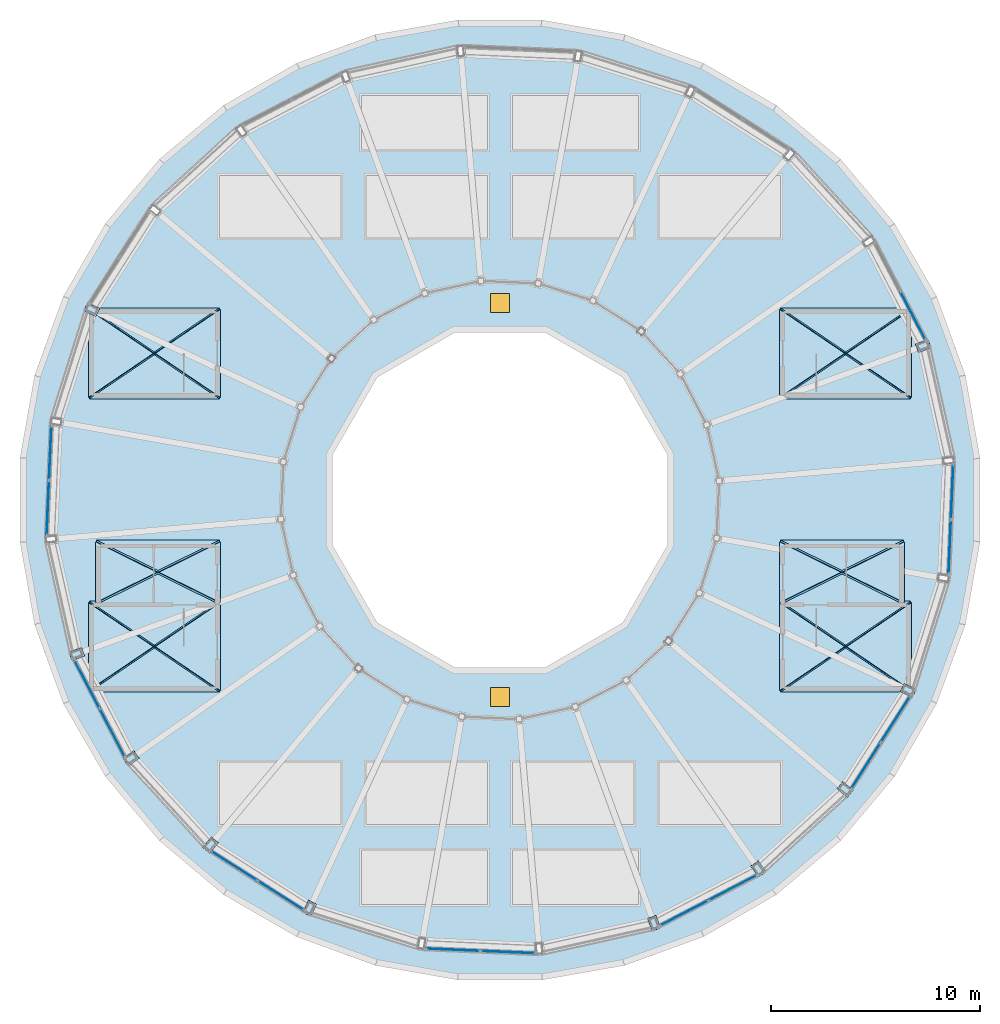
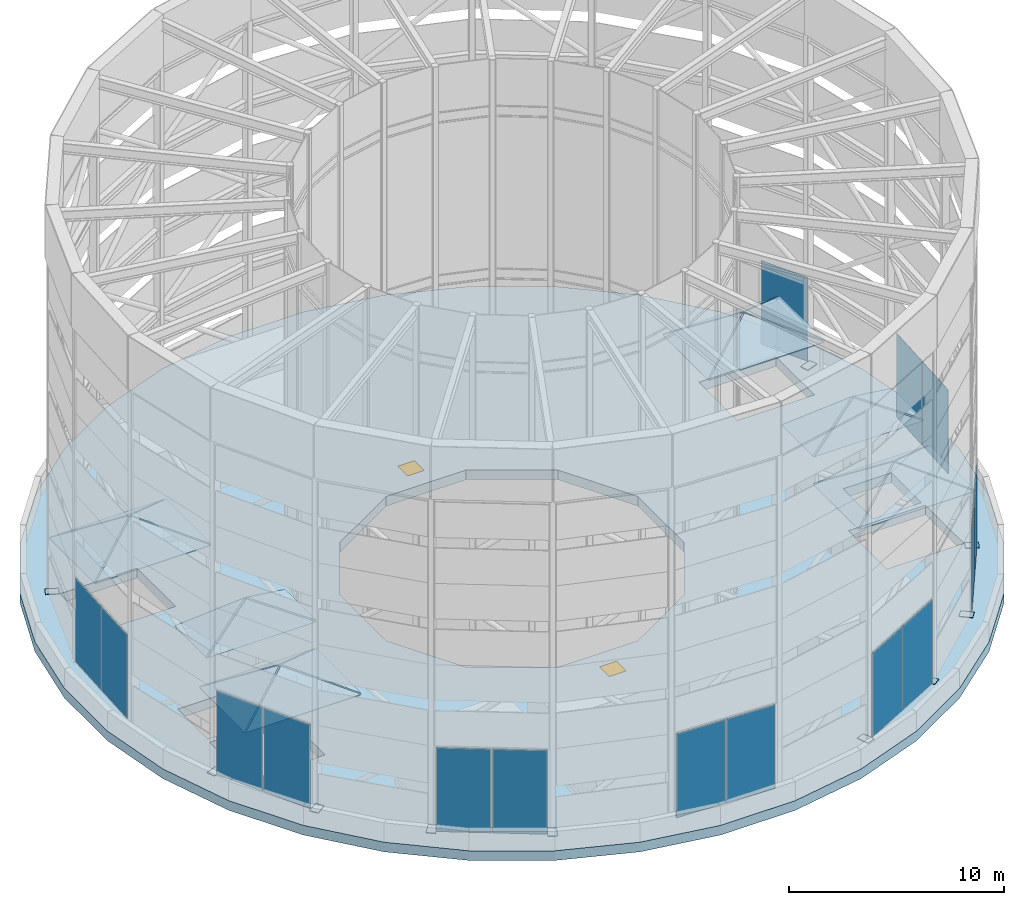
# One storey, part 13 of 20: 25 plates, 25 slabs, 2 doors, 2 openings, 8 elements without a shape of their own.
"""IFC4 building model written with IfcOpenShell, lengths in metres."""

from ifc_helpers import new_model, si_unit, direction, frame, origin, origin_2d, place, context, subcontext, project, spatial, polyline, rectangle, outline, extrude, material, layer, layer_set, type_object, element, fill, aggregate, save


model = new_model("IFC4")

# Units and contexts
model_context = context("Model", 3, precision=1e-05, world=origin(), true_north=direction((0.0, 1.0)))
body_context = subcontext(model_context, "Body", "Model", "MODEL_VIEW")
ifc_project = project(units=[si_unit("LENGTHUNIT", "METRE"), si_unit("AREAUNIT", "SQUARE_METRE"), si_unit("VOLUMEUNIT", "CUBIC_METRE"), si_unit("PLANEANGLEUNIT", "RADIAN"), si_unit("MASSUNIT", "GRAM", prefix="KILO")], contexts=[model_context])

# Site, building, storey
site_placement = place(None, origin())
site = spatial("IfcSite", under=ifc_project, at=site_placement, CompositionType="ELEMENT")
building_placement = place(site_placement, origin())
building = spatial("IfcBuilding", under=site, at=building_placement, Name="Saqina Gate Tower", CompositionType="ELEMENT")
storey_placement = place(building_placement, frame((0.0, 0.0, 284.199951171875)))
storey = spatial("IfcBuildingStorey", under=building, at=storey_placement, Name="RF", CompositionType="ELEMENT", Elevation=284.199951171875)

# Curtain wall, plate
ifc_material_1 = material(Name="Aluminium glazing", Category="aluminium")
ifc_layer_1 = layer(ifc_material_1, 0.159912109375)
ifc_layer_set_1 = layer_set([ifc_layer_1], Name="CWT-5")
curtain_wall_type = type_object("IfcCurtainWallType", Name="CWT-5", PredefinedType="NOTDEFINED", material=ifc_layer_set_1)
curtain_wall_1_placement = place(storey_placement, origin())
curtain_wall_1 = element("IfcCurtainWall", 1, at=curtain_wall_1_placement, inside=storey, type_object=curtain_wall_type, Name="Crown glazing bay 2", PredefinedType="NOTDEFINED")
ifc_material_2 = material(Name="Glass", Category="glass")
ifc_layer_2 = layer(ifc_material_2, 0.028076171875)
ifc_layer_set_2 = layer_set([ifc_layer_2], Name="CWT-5P")
plate_type_1 = type_object("IfcPlateType", Name="CWT-5P", PredefinedType="CURTAIN_PANEL", material=ifc_layer_set_2)
plate_1_placement = place(storey_placement, frame((19.7177734375, 8.78466796875, 0.06005859375), z_axis=(0.0, 0.0, 1.0), x_axis=(-0.461751109849, 0.887009533519, 0.0)))
plate_1 = element("IfcPlate", 2, at=plate_1_placement, type_object=plate_type_1, Name="CW5-02 panel 1.1", PredefinedType="CURTAIN_PANEL", context=body_context, shape_type="SweptSolid", body=[
    extrude(rectangle(XDim=2.5654296875, YDim=0.028076171875, at=origin_2d()), origin(), (0.0, 0.0, 1.0), 4.7548828125),
])
aggregate(curtain_wall_1, [plate_1])

# Curtain wall, plates
curtain_wall_2_placement = place(storey_placement, origin())
curtain_wall_2 = element("IfcCurtainWall", 3, at=curtain_wall_2_placement, inside=storey, type_object=curtain_wall_type, Name="Crown glazing bay 12", PredefinedType="NOTDEFINED")
plate_2_placement = place(storey_placement, frame((-21.46826171875, 2.251220703125, 0.06005859375), z_axis=(0.0, 0.0, 1.0), x_axis=(-0.043629254589, -0.999047790721, 0.0)))
plate_2 = element("IfcPlate", 4, at=plate_2_placement, type_object=plate_type_1, Name="CW5-12 panel 1.1", PredefinedType="CURTAIN_PANEL", context=body_context, shape_type="SweptSolid", body=[
    extrude(rectangle(XDim=2.5654296875, YDim=0.028076171875, at=origin_2d()), origin(), (0.0, 0.0, 1.0), 4.7548828125),
])
plate_3_placement = place(storey_placement, frame((-21.582763671875, -0.37158203125, 0.06005859375), z_axis=(0.0, 0.0, 1.0), x_axis=(-0.043629254589, -0.999047790721, 0.0)))
plate_3 = element("IfcPlate", 5, at=plate_3_placement, type_object=plate_type_1, Name="CW5-12 panel 2.1", PredefinedType="CURTAIN_PANEL", context=body_context, shape_type="SweptSolid", body=[
    extrude(rectangle(XDim=2.5654296875, YDim=0.028076171875, at=origin_2d()), origin(), (0.0, 0.0, 1.0), 4.7548828125),
])
aggregate(curtain_wall_2, [plate_2, plate_3])

curtain_wall_3_placement = place(storey_placement, origin())
curtain_wall_3 = element("IfcCurtainWall", 6, at=curtain_wall_3_placement, inside=storey, type_object=curtain_wall_type, Name="Crown glazing bay 14", PredefinedType="NOTDEFINED")
plate_4_placement = place(storey_placement, frame((-19.7177734375, -8.78466796875, 0.06005859375), z_axis=(0.0, 0.0, 1.0), x_axis=(0.461751109849, -0.887009533519, 0.0)))
plate_4 = element("IfcPlate", 7, at=plate_4_placement, type_object=plate_type_1, Name="CW5-14 panel 1.1", PredefinedType="CURTAIN_PANEL", context=body_context, shape_type="SweptSolid", body=[
    extrude(rectangle(XDim=2.5654296875, YDim=0.028076171875, at=origin_2d()), origin(), (0.0, 0.0, 1.0), 4.7548828125),
])
plate_5_placement = place(storey_placement, frame((-18.50537109375, -11.11328125, 0.06005859375), z_axis=(0.0, 0.0, 1.0), x_axis=(0.461751109849, -0.887009533519, 0.0)))
plate_5 = element("IfcPlate", 8, at=plate_5_placement, type_object=plate_type_1, Name="CW5-14 panel 2.1", PredefinedType="CURTAIN_PANEL", context=body_context, shape_type="SweptSolid", body=[
    extrude(rectangle(XDim=2.5654296875, YDim=0.028076171875, at=origin_2d()), origin(), (0.0, 0.0, 1.0), 4.7548828125),
])
aggregate(curtain_wall_3, [plate_4, plate_5])

curtain_wall_4_placement = place(storey_placement, origin())
curtain_wall_4 = element("IfcCurtainWall", 9, at=curtain_wall_4_placement, inside=storey, type_object=curtain_wall_type, Name="Crown glazing bay 16", PredefinedType="NOTDEFINED")
plate_6_placement = place(storey_placement, frame((-12.683837890625, -17.466552734375, 0.06005859375), z_axis=(0.0, 0.0, 1.0), x_axis=(0.843394662537, -0.537294559068, 0.0)))
plate_6 = element("IfcPlate", 10, at=plate_6_placement, type_object=plate_type_1, Name="CW5-16 panel 1.1", PredefinedType="CURTAIN_PANEL", context=body_context, shape_type="SweptSolid", body=[
    extrude(rectangle(XDim=2.5654296875, YDim=0.028076171875, at=origin_2d()), origin(), (0.0, 0.0, 1.0), 4.7548828125),
])
plate_7_placement = place(storey_placement, frame((-10.469482421875, -18.877197265625, 0.06005859375), z_axis=(0.0, 0.0, 1.0), x_axis=(0.843394662537, -0.537294559068, 0.0)))
plate_7 = element("IfcPlate", 11, at=plate_7_placement, type_object=plate_type_1, Name="CW5-16 panel 2.1", PredefinedType="CURTAIN_PANEL", context=body_context, shape_type="SweptSolid", body=[
    extrude(rectangle(XDim=2.5654296875, YDim=0.028076171875, at=origin_2d()), origin(), (0.0, 0.0, 1.0), 4.7548828125),
])
aggregate(curtain_wall_4, [plate_6, plate_7])

curtain_wall_5_placement = place(storey_placement, origin())
curtain_wall_5 = element("IfcCurtainWall", 12, at=curtain_wall_5_placement, inside=storey, type_object=curtain_wall_type, Name="Crown glazing bay 18", PredefinedType="NOTDEFINED")
plate_8_placement = place(storey_placement, frame((-2.251220703125, -21.46826171875, 0.06005859375), z_axis=(0.0, 0.0, 1.0), x_axis=(0.999047790721, -0.043629254589, 0.0)))
plate_8 = element("IfcPlate", 13, at=plate_8_placement, type_object=plate_type_1, Name="CW5-18 panel 1.1", PredefinedType="CURTAIN_PANEL", context=body_context, shape_type="SweptSolid", body=[
    extrude(rectangle(XDim=2.5654296875, YDim=0.028076171875, at=origin_2d()), origin(), (0.0, 0.0, 1.0), 4.7548828125),
])
plate_9_placement = place(storey_placement, frame((0.37158203125, -21.582763671875, 0.06005859375), z_axis=(0.0, 0.0, 1.0), x_axis=(0.999047790721, -0.043629254589, 0.0)))
plate_9 = element("IfcPlate", 14, at=plate_9_placement, type_object=plate_type_1, Name="CW5-18 panel 2.1", PredefinedType="CURTAIN_PANEL", context=body_context, shape_type="SweptSolid", body=[
    extrude(rectangle(XDim=2.5654296875, YDim=0.028076171875, at=origin_2d()), origin(), (0.0, 0.0, 1.0), 4.7548828125),
])
aggregate(curtain_wall_5, [plate_8, plate_9])

curtain_wall_6_placement = place(storey_placement, origin())
curtain_wall_6 = element("IfcCurtainWall", 15, at=curtain_wall_6_placement, inside=storey, type_object=curtain_wall_type, Name="Crown glazing bay 20", PredefinedType="NOTDEFINED")
plate_10_placement = place(storey_placement, frame((8.78466796875, -19.7177734375, 0.06005859375), z_axis=(0.0, 0.0, 1.0), x_axis=(0.887009533519, 0.461751109849, 0.0)))
plate_10 = element("IfcPlate", 16, at=plate_10_placement, type_object=plate_type_1, Name="CW5-20 panel 1.1", PredefinedType="CURTAIN_PANEL", context=body_context, shape_type="SweptSolid", body=[
    extrude(rectangle(XDim=2.5654296875, YDim=0.028076171875, at=origin_2d()), origin(), (0.0, 0.0, 1.0), 4.7548828125),
])
plate_11_placement = place(storey_placement, frame((11.11328125, -18.50537109375, 0.06005859375), z_axis=(0.0, 0.0, 1.0), x_axis=(0.887009533519, 0.461751109849, 0.0)))
plate_11 = element("IfcPlate", 17, at=plate_11_placement, type_object=plate_type_1, Name="CW5-20 panel 2.1", PredefinedType="CURTAIN_PANEL", context=body_context, shape_type="SweptSolid", body=[
    extrude(rectangle(XDim=2.5654296875, YDim=0.028076171875, at=origin_2d()), origin(), (0.0, 0.0, 1.0), 4.7548828125),
])
aggregate(curtain_wall_6, [plate_10, plate_11])

curtain_wall_7_placement = place(storey_placement, origin())
curtain_wall_7 = element("IfcCurtainWall", 18, at=curtain_wall_7_placement, inside=storey, type_object=curtain_wall_type, Name="Crown glazing bay 22", PredefinedType="NOTDEFINED")
plate_12_placement = place(storey_placement, frame((17.466552734375, -12.683837890625, 0.06005859375), z_axis=(0.0, 0.0, 1.0), x_axis=(0.537294559068, 0.843394662537, 0.0)))
plate_12 = element("IfcPlate", 19, at=plate_12_placement, type_object=plate_type_1, Name="CW5-22 panel 1.1", PredefinedType="CURTAIN_PANEL", context=body_context, shape_type="SweptSolid", body=[
    extrude(rectangle(XDim=2.5654296875, YDim=0.028076171875, at=origin_2d()), origin(), (0.0, 0.0, 1.0), 4.7548828125),
])
plate_13_placement = place(storey_placement, frame((18.877197265625, -10.469482421875, 0.06005859375), z_axis=(0.0, 0.0, 1.0), x_axis=(0.537294559068, 0.843394662537, 0.0)))
plate_13 = element("IfcPlate", 20, at=plate_13_placement, type_object=plate_type_1, Name="CW5-22 panel 2.1", PredefinedType="CURTAIN_PANEL", context=body_context, shape_type="SweptSolid", body=[
    extrude(rectangle(XDim=2.5654296875, YDim=0.028076171875, at=origin_2d()), origin(), (0.0, 0.0, 1.0), 4.7548828125),
])
aggregate(curtain_wall_7, [plate_12, plate_13])

curtain_wall_8_placement = place(storey_placement, origin())
curtain_wall_8 = element("IfcCurtainWall", 21, at=curtain_wall_8_placement, inside=storey, type_object=curtain_wall_type, Name="Crown glazing bay 24", PredefinedType="NOTDEFINED")
plate_14_placement = place(storey_placement, frame((21.46826171875, -2.251220703125, 0.06005859375), z_axis=(0.0, 0.0, 1.0), x_axis=(0.043629254589, 0.999047790721, 0.0)))
plate_14 = element("IfcPlate", 22, at=plate_14_placement, type_object=plate_type_1, Name="CW5-24 panel 1.1", PredefinedType="CURTAIN_PANEL", context=body_context, shape_type="SweptSolid", body=[
    extrude(rectangle(XDim=2.5654296875, YDim=0.028076171875, at=origin_2d()), origin(), (0.0, 0.0, 1.0), 4.7548828125),
])
plate_15_placement = place(storey_placement, frame((21.582763671875, 0.37158203125, 0.06005859375), z_axis=(0.0, 0.0, 1.0), x_axis=(0.043629254589, 0.999047790721, 0.0)))
plate_15 = element("IfcPlate", 23, at=plate_15_placement, type_object=plate_type_1, Name="CW5-24 panel 2.1", PredefinedType="CURTAIN_PANEL", context=body_context, shape_type="SweptSolid", body=[
    extrude(rectangle(XDim=2.5654296875, YDim=0.028076171875, at=origin_2d()), origin(), (0.0, 0.0, 1.0), 4.7548828125),
])
aggregate(curtain_wall_8, [plate_14, plate_15])

# Slabs
ifc_material_3 = material(Name="Glazed ceramic roof tile")
ifc_layer_3 = layer(ifc_material_3, 0.1201171875)
ifc_layer_set_3 = layer_set([ifc_layer_3], Name="HEAD HOUSE PITCHED ROOF")
slab_type_1 = type_object("IfcSlabType", Name="HEAD HOUSE PITCHED ROOF", PredefinedType="ROOF", material=ifc_layer_set_3)
slab_1_placement = place(storey_placement, frame((13.39990234375, 4.831787109375, 3.098876953125), z_axis=(0.0, -0.568159868557, 0.822918199921), x_axis=(1.0, 0.0, 0.0)))
element("IfcSlab", 24, at=slab_1_placement, inside=storey, type_object=slab_type_1, Name="STAIR HEAD HOUSE ROOF EN SOUTH PITCH", PredefinedType="ROOF", context=body_context, shape_type="SweptSolid", body=[
    extrude(outline(polyline([(0.0, 0.0), (6.2001953125, 0.0), (3.10009765625, 2.552012650166223), (0.0, 0.0)])), origin(), (0.0, 0.0, -1.0), 0.1201171875),
])
slab_2_placement = place(storey_placement, frame((19.65087890625, 4.89990234375, 3.108642578125), z_axis=(0.423720980869, 0.0, 0.90579276348), x_axis=(0.0, 1.0, 0.0)))
element("IfcSlab", 25, at=slab_2_placement, inside=storey, type_object=slab_type_1, Name="STAIR HEAD HOUSE ROOF EN EAST PITCH", PredefinedType="ROOF", context=body_context, shape_type="SweptSolid", body=[
    extrude(outline(polyline([(0.0, 0.0), (4.2001953125, 0.0), (2.10009765625, 3.4225242033744214), (0.0, 0.0)])), origin(), (0.0, 0.0, -1.0), 0.1201171875),
])
slab_3_placement = place(storey_placement, frame((19.60009765625, 9.168212890625, 3.098876953125), z_axis=(0.0, 0.568159868557, 0.822918199921), x_axis=(-1.0, 0.0, 0.0)))
element("IfcSlab", 26, at=slab_3_placement, inside=storey, type_object=slab_type_1, Name="STAIR HEAD HOUSE ROOF EN NORTH PITCH", PredefinedType="ROOF", context=body_context, shape_type="SweptSolid", body=[
    extrude(outline(polyline([(0.0, 0.0), (6.2001953125, 0.0), (3.10009765625, 2.552012650166223), (0.0, 0.0)])), origin(), (0.0, 0.0, -1.0), 0.1201171875),
])
slab_4_placement = place(storey_placement, frame((13.34912109375, 9.10009765625, 3.108642578125), z_axis=(-0.423720980869, 0.0, 0.90579276348), x_axis=(0.0, -1.0, 0.0)))
element("IfcSlab", 27, at=slab_4_placement, inside=storey, type_object=slab_type_1, Name="STAIR HEAD HOUSE ROOF EN WEST PITCH", PredefinedType="ROOF", context=body_context, shape_type="SweptSolid", body=[
    extrude(outline(polyline([(0.0, 0.0), (4.2001953125, 0.0), (2.10009765625, 3.4225242033744214), (0.0, 0.0)])), origin(), (0.0, 0.0, -1.0), 0.1201171875),
])
slab_5_placement = place(storey_placement, frame((13.39990234375, -9.168212890625, 3.098876953125), z_axis=(0.0, -0.568159868557, 0.822918199921), x_axis=(1.0, 0.0, 0.0)))
element("IfcSlab", 28, at=slab_5_placement, inside=storey, type_object=slab_type_1, Name="STAIR HEAD HOUSE ROOF ES SOUTH PITCH", PredefinedType="ROOF", context=body_context, shape_type="SweptSolid", body=[
    extrude(outline(polyline([(0.0, 0.0), (6.2001953125, 0.0), (3.10009765625, 2.552012650166223), (0.0, 0.0)])), origin(), (0.0, 0.0, -1.0), 0.1201171875),
])
slab_6_placement = place(storey_placement, frame((19.65087890625, -9.10009765625, 3.108642578125), z_axis=(0.423720980869, 0.0, 0.90579276348), x_axis=(0.0, 1.0, 0.0)))
element("IfcSlab", 29, at=slab_6_placement, inside=storey, type_object=slab_type_1, Name="STAIR HEAD HOUSE ROOF ES EAST PITCH", PredefinedType="ROOF", context=body_context, shape_type="SweptSolid", body=[
    extrude(outline(polyline([(0.0, 0.0), (4.2001953125, 0.0), (2.10009765625, 3.4225242033744214), (0.0, 0.0)])), origin(), (0.0, 0.0, -1.0), 0.1201171875),
])
slab_7_placement = place(storey_placement, frame((19.60009765625, -4.831787109375, 3.098876953125), z_axis=(0.0, 0.568159868557, 0.822918199921), x_axis=(-1.0, 0.0, 0.0)))
element("IfcSlab", 30, at=slab_7_placement, inside=storey, type_object=slab_type_1, Name="STAIR HEAD HOUSE ROOF ES NORTH PITCH", PredefinedType="ROOF", context=body_context, shape_type="SweptSolid", body=[
    extrude(outline(polyline([(0.0, 0.0), (6.2001953125, 0.0), (3.10009765625, 2.552012650166223), (0.0, 0.0)])), origin(), (0.0, 0.0, -1.0), 0.1201171875),
])
slab_8_placement = place(storey_placement, frame((13.34912109375, -4.89990234375, 3.108642578125), z_axis=(-0.423720980869, 0.0, 0.90579276348), x_axis=(0.0, -1.0, 0.0)))
element("IfcSlab", 31, at=slab_8_placement, inside=storey, type_object=slab_type_1, Name="STAIR HEAD HOUSE ROOF ES WEST PITCH", PredefinedType="ROOF", context=body_context, shape_type="SweptSolid", body=[
    extrude(outline(polyline([(0.0, 0.0), (4.2001953125, 0.0), (2.10009765625, 3.4225242033744214), (0.0, 0.0)])), origin(), (0.0, 0.0, -1.0), 0.1201171875),
])
slab_9_placement = place(storey_placement, frame((13.39990234375, -4.98486328125, 4.684814453125), z_axis=(0.0, -0.707166304464, 0.707047252898), x_axis=(1.0, 0.0, 0.0)))
element("IfcSlab", 32, at=slab_9_placement, inside=storey, type_object=slab_type_1, Name="FIRE-FIGHTING LIFT HEAD ROOF E SOUTH PITCH", PredefinedType="ROOF", context=body_context, shape_type="SweptSolid", body=[
    extrude(outline(polyline([(0.0, 0.0), (5.85009765625, 0.0), (2.925048828125, 2.050713252802219), (0.0, 0.0)])), origin(), (0.0, 0.0, -1.0), 0.1201171875),
])
slab_10_placement = place(storey_placement, frame((19.30322265625, -4.89990234375, 4.70751953125), z_axis=(0.444159685646, 0.0, 0.895947640014), x_axis=(0.0, 1.0, 0.0)))
element("IfcSlab", 33, at=slab_10_placement, inside=storey, type_object=slab_type_1, Name="FIRE-FIGHTING LIFT HEAD ROOF E EAST PITCH", PredefinedType="ROOF", context=body_context, shape_type="SweptSolid", body=[
    extrude(outline(polyline([(0.0, 0.0), (2.89990234375, 0.0), (1.449951171875, 3.26448171396987), (0.0, 0.0)])), origin(), (0.0, 0.0, -1.0), 0.1201171875),
])
slab_11_placement = place(storey_placement, frame((19.25, -1.9150390625, 4.684814453125), z_axis=(0.0, 0.707106781187, 0.707106781187), x_axis=(-1.0, 0.0, 0.0)))
element("IfcSlab", 34, at=slab_11_placement, inside=storey, type_object=slab_type_1, Name="FIRE-FIGHTING LIFT HEAD ROOF E NORTH PITCH", PredefinedType="ROOF", context=body_context, shape_type="SweptSolid", body=[
    extrude(outline(polyline([(0.0, 0.0), (5.85009765625, 0.0), (2.925048828125, 2.0508858790273887), (0.0, 0.0)])), origin(), (0.0, 0.0, -1.0), 0.1201171875),
])
slab_12_placement = place(storey_placement, frame((13.3466796875, -2.0, 4.70751953125), z_axis=(-0.444129926391, 0.0, 0.895962392338), x_axis=(0.0, -1.0, 0.0)))
element("IfcSlab", 35, at=slab_12_placement, inside=storey, type_object=slab_type_1, Name="FIRE-FIGHTING LIFT HEAD ROOF E WEST PITCH", PredefinedType="ROOF", context=body_context, shape_type="SweptSolid", body=[
    extrude(outline(polyline([(0.0, 0.0), (2.89990234375, 0.0), (1.449951171875, 3.2647004529875514), (0.0, 0.0)])), origin(), (0.0, 0.0, -1.0), 0.1201171875),
])
slab_13_placement = place(storey_placement, frame((-19.60009765625, 4.831787109375, 3.098876953125), z_axis=(0.0, -0.568159868557, 0.822918199921), x_axis=(1.0, 0.0, 0.0)))
element("IfcSlab", 36, at=slab_13_placement, inside=storey, type_object=slab_type_1, Name="STAIR HEAD HOUSE ROOF WN SOUTH PITCH", PredefinedType="ROOF", context=body_context, shape_type="SweptSolid", body=[
    extrude(outline(polyline([(0.0, 0.0), (6.2001953125, 0.0), (3.10009765625, 2.552012650166223), (0.0, 0.0)])), origin(), (0.0, 0.0, -1.0), 0.1201171875),
])
slab_14_placement = place(storey_placement, frame((-13.34912109375, 4.89990234375, 3.108642578125), z_axis=(0.423720980869, 0.0, 0.90579276348), x_axis=(0.0, 1.0, 0.0)))
element("IfcSlab", 37, at=slab_14_placement, inside=storey, type_object=slab_type_1, Name="STAIR HEAD HOUSE ROOF WN EAST PITCH", PredefinedType="ROOF", context=body_context, shape_type="SweptSolid", body=[
    extrude(outline(polyline([(0.0, 0.0), (4.2001953125, 0.0), (2.10009765625, 3.4225242033744214), (0.0, 0.0)])), origin(), (0.0, 0.0, -1.0), 0.1201171875),
])
slab_15_placement = place(storey_placement, frame((-13.39990234375, 9.168212890625, 3.098876953125), z_axis=(0.0, 0.568159868557, 0.822918199921), x_axis=(-1.0, 0.0, 0.0)))
element("IfcSlab", 38, at=slab_15_placement, inside=storey, type_object=slab_type_1, Name="STAIR HEAD HOUSE ROOF WN NORTH PITCH", PredefinedType="ROOF", context=body_context, shape_type="SweptSolid", body=[
    extrude(outline(polyline([(0.0, 0.0), (6.2001953125, 0.0), (3.10009765625, 2.552012650166223), (0.0, 0.0)])), origin(), (0.0, 0.0, -1.0), 0.1201171875),
])
slab_16_placement = place(storey_placement, frame((-19.65087890625, 9.10009765625, 3.108642578125), z_axis=(-0.423720980869, 0.0, 0.90579276348), x_axis=(0.0, -1.0, 0.0)))
element("IfcSlab", 39, at=slab_16_placement, inside=storey, type_object=slab_type_1, Name="STAIR HEAD HOUSE ROOF WN WEST PITCH", PredefinedType="ROOF", context=body_context, shape_type="SweptSolid", body=[
    extrude(outline(polyline([(0.0, 0.0), (4.2001953125, 0.0), (2.10009765625, 3.4225242033744214), (0.0, 0.0)])), origin(), (0.0, 0.0, -1.0), 0.1201171875),
])
slab_17_placement = place(storey_placement, frame((-19.60009765625, -9.168212890625, 3.098876953125), z_axis=(0.0, -0.568159868557, 0.822918199921), x_axis=(1.0, 0.0, 0.0)))
element("IfcSlab", 40, at=slab_17_placement, inside=storey, type_object=slab_type_1, Name="STAIR HEAD HOUSE ROOF WS SOUTH PITCH", PredefinedType="ROOF", context=body_context, shape_type="SweptSolid", body=[
    extrude(outline(polyline([(0.0, 0.0), (6.2001953125, 0.0), (3.10009765625, 2.552012650166223), (0.0, 0.0)])), origin(), (0.0, 0.0, -1.0), 0.1201171875),
])
slab_18_placement = place(storey_placement, frame((-13.34912109375, -9.10009765625, 3.108642578125), z_axis=(0.423720980869, 0.0, 0.90579276348), x_axis=(0.0, 1.0, 0.0)))
element("IfcSlab", 41, at=slab_18_placement, inside=storey, type_object=slab_type_1, Name="STAIR HEAD HOUSE ROOF WS EAST PITCH", PredefinedType="ROOF", context=body_context, shape_type="SweptSolid", body=[
    extrude(outline(polyline([(0.0, 0.0), (4.2001953125, 0.0), (2.10009765625, 3.4225242033744214), (0.0, 0.0)])), origin(), (0.0, 0.0, -1.0), 0.1201171875),
])
slab_19_placement = place(storey_placement, frame((-13.39990234375, -4.831787109375, 3.098876953125), z_axis=(0.0, 0.568159868557, 0.822918199921), x_axis=(-1.0, 0.0, 0.0)))
element("IfcSlab", 42, at=slab_19_placement, inside=storey, type_object=slab_type_1, Name="STAIR HEAD HOUSE ROOF WS NORTH PITCH", PredefinedType="ROOF", context=body_context, shape_type="SweptSolid", body=[
    extrude(outline(polyline([(0.0, 0.0), (6.2001953125, 0.0), (3.10009765625, 2.552012650166223), (0.0, 0.0)])), origin(), (0.0, 0.0, -1.0), 0.1201171875),
])
slab_20_placement = place(storey_placement, frame((-19.65087890625, -4.89990234375, 3.108642578125), z_axis=(-0.423720980869, 0.0, 0.90579276348), x_axis=(0.0, -1.0, 0.0)))
element("IfcSlab", 43, at=slab_20_placement, inside=storey, type_object=slab_type_1, Name="STAIR HEAD HOUSE ROOF WS WEST PITCH", PredefinedType="ROOF", context=body_context, shape_type="SweptSolid", body=[
    extrude(outline(polyline([(0.0, 0.0), (4.2001953125, 0.0), (2.10009765625, 3.4225242033744214), (0.0, 0.0)])), origin(), (0.0, 0.0, -1.0), 0.1201171875),
])
slab_21_placement = place(storey_placement, frame((-19.25, -4.98486328125, 4.684814453125), z_axis=(0.0, -0.707166304464, 0.707047252898), x_axis=(1.0, 0.0, 0.0)))
element("IfcSlab", 44, at=slab_21_placement, inside=storey, type_object=slab_type_1, Name="FIRE-FIGHTING LIFT HEAD ROOF W SOUTH PITCH", PredefinedType="ROOF", context=body_context, shape_type="SweptSolid", body=[
    extrude(outline(polyline([(0.0, 0.0), (5.85009765625, 0.0), (2.925048828125, 2.050713252802219), (0.0, 0.0)])), origin(), (0.0, 0.0, -1.0), 0.1201171875),
])
slab_22_placement = place(storey_placement, frame((-13.3466796875, -4.89990234375, 4.70751953125), z_axis=(0.444129926391, 0.0, 0.895962392338), x_axis=(0.0, 1.0, 0.0)))
element("IfcSlab", 45, at=slab_22_placement, inside=storey, type_object=slab_type_1, Name="FIRE-FIGHTING LIFT HEAD ROOF W EAST PITCH", PredefinedType="ROOF", context=body_context, shape_type="SweptSolid", body=[
    extrude(outline(polyline([(0.0, 0.0), (2.89990234375, 0.0), (1.449951171875, 3.2647004529875514), (0.0, 0.0)])), origin(), (0.0, 0.0, -1.0), 0.1201171875),
])
slab_23_placement = place(storey_placement, frame((-13.39990234375, -1.9150390625, 4.684814453125), z_axis=(0.0, 0.707106781187, 0.707106781187), x_axis=(-1.0, 0.0, 0.0)))
element("IfcSlab", 46, at=slab_23_placement, inside=storey, type_object=slab_type_1, Name="FIRE-FIGHTING LIFT HEAD ROOF W NORTH PITCH", PredefinedType="ROOF", context=body_context, shape_type="SweptSolid", body=[
    extrude(outline(polyline([(0.0, 0.0), (5.85009765625, 0.0), (2.925048828125, 2.0508858790273887), (0.0, 0.0)])), origin(), (0.0, 0.0, -1.0), 0.1201171875),
])
slab_24_placement = place(storey_placement, frame((-19.30322265625, -2.0, 4.70751953125), z_axis=(-0.444159685646, 0.0, 0.895947640014), x_axis=(0.0, -1.0, 0.0)))
element("IfcSlab", 47, at=slab_24_placement, inside=storey, type_object=slab_type_1, Name="FIRE-FIGHTING LIFT HEAD ROOF W WEST PITCH", PredefinedType="ROOF", context=body_context, shape_type="SweptSolid", body=[
    extrude(outline(polyline([(0.0, 0.0), (2.89990234375, 0.0), (1.449951171875, 3.26448171396987), (0.0, 0.0)])), origin(), (0.0, 0.0, -1.0), 0.1201171875),
])

# Plates
ifc_material_4 = material(Name="Steel S460", Category="steel")
ifc_layer_4 = layer(ifc_material_4, 0.02490234375)
ifc_layer_set_4 = layer_set([ifc_layer_4], Name="Steel S460")
plate_type_2 = type_object("IfcPlateType", Name="STR-BASE PLATE-CROWN OUTER", PredefinedType="USERDEFINED", material=ifc_layer_set_4)
plate_16_placement = place(storey_placement, origin())
element("IfcPlate", 48, at=plate_16_placement, inside=storey, type_object=plate_type_2, Name="CROWN COLUMN BASE PLATE 02", ObjectType="BASE PLATE", PredefinedType="USERDEFINED", context=body_context, shape_type="SweptSolid", body=[
    extrude(outline(polyline([(20.585693359375, 7.253173828125), (20.431884765625, 7.676025390625), (19.821044921875, 7.45361328125), (19.974853515625, 7.03076171875), (20.585693359375, 7.253173828125)])), origin(), (0.0, 0.0, 1.0), 0.025146484375),
])
plate_17_placement = place(storey_placement, origin())
element("IfcPlate", 49, at=plate_17_placement, inside=storey, type_object=plate_type_2, Name="CROWN COLUMN BASE PLATE 11", ObjectType="BASE PLATE", PredefinedType="USERDEFINED", context=body_context, shape_type="SweptSolid", body=[
    extrude(outline(polyline([(-19.68505859375, 9.427490234375), (-19.875244140625, 9.019775390625), (-19.2861328125, 8.7451171875), (-19.095947265625, 9.15283203125), (-19.68505859375, 9.427490234375)])), origin(), (0.0, 0.0, 1.0), 0.025146484375),
])
plate_18_placement = place(storey_placement, origin())
element("IfcPlate", 50, at=plate_18_placement, inside=storey, type_object=plate_type_2, Name="CROWN COLUMN BASE PLATE 14", ObjectType="BASE PLATE", PredefinedType="USERDEFINED", context=body_context, shape_type="SweptSolid", body=[
    extrude(outline(polyline([(-20.585693359375, -7.253173828125), (-20.431884765625, -7.676025390625), (-19.821044921875, -7.45361328125), (-19.974853515625, -7.03076171875), (-20.585693359375, -7.253173828125)])), origin(), (0.0, 0.0, 1.0), 0.025146484375),
])
plate_19_placement = place(storey_placement, origin())
element("IfcPlate", 51, at=plate_19_placement, inside=storey, type_object=plate_type_2, Name="CROWN COLUMN BASE PLATE 15", ObjectType="BASE PLATE", PredefinedType="USERDEFINED", context=body_context, shape_type="SweptSolid", body=[
    extrude(outline(polyline([(-18.007080078125, -12.333984375), (-17.7490234375, -12.70263671875), (-17.216552734375, -12.329833984375), (-17.474609375, -11.961181640625), (-18.007080078125, -12.333984375)])), origin(), (0.0, 0.0, 1.0), 0.025146484375),
])
plate_20_placement = place(storey_placement, origin())
element("IfcPlate", 52, at=plate_20_placement, inside=storey, type_object=plate_type_2, Name="CROWN COLUMN BASE PLATE 16", ObjectType="BASE PLATE", PredefinedType="USERDEFINED", context=body_context, shape_type="SweptSolid", body=[
    extrude(outline(polyline([(-14.201171875, -16.57421875), (-13.8564453125, -16.863525390625), (-13.438720703125, -16.36572265625), (-13.783447265625, -16.076416015625), (-14.201171875, -16.57421875)])), origin(), (0.0, 0.0, 1.0), 0.025146484375),
])
plate_21_placement = place(storey_placement, origin())
element("IfcPlate", 53, at=plate_21_placement, inside=storey, type_object=plate_type_2, Name="CROWN COLUMN BASE PLATE 17", ObjectType="BASE PLATE", PredefinedType="USERDEFINED", context=body_context, shape_type="SweptSolid", body=[
    extrude(outline(polyline([(-9.427490234375, -19.68505859375), (-9.019775390625, -19.875244140625), (-8.7451171875, -19.2861328125), (-9.15283203125, -19.095947265625), (-9.427490234375, -19.68505859375)])), origin(), (0.0, 0.0, 1.0), 0.025146484375),
])
plate_22_placement = place(storey_placement, origin())
element("IfcPlate", 54, at=plate_22_placement, inside=storey, type_object=plate_type_2, Name="CROWN COLUMN BASE PLATE 20", ObjectType="BASE PLATE", PredefinedType="USERDEFINED", context=body_context, shape_type="SweptSolid", body=[
    extrude(outline(polyline([(7.253173828125, -20.585693359375), (7.676025390625, -20.431884765625), (7.45361328125, -19.821044921875), (7.03076171875, -19.974853515625), (7.253173828125, -20.585693359375)])), origin(), (0.0, 0.0, 1.0), 0.025146484375),
])
plate_23_placement = place(storey_placement, origin())
element("IfcPlate", 55, at=plate_23_placement, inside=storey, type_object=plate_type_2, Name="CROWN COLUMN BASE PLATE 21", ObjectType="BASE PLATE", PredefinedType="USERDEFINED", context=body_context, shape_type="SweptSolid", body=[
    extrude(outline(polyline([(12.333984375, -18.007080078125), (12.70263671875, -17.7490234375), (12.329833984375, -17.216552734375), (11.961181640625, -17.474609375), (12.333984375, -18.007080078125)])), origin(), (0.0, 0.0, 1.0), 0.025146484375),
])
plate_24_placement = place(storey_placement, origin())
element("IfcPlate", 56, at=plate_24_placement, inside=storey, type_object=plate_type_2, Name="CROWN COLUMN BASE PLATE 22", ObjectType="BASE PLATE", PredefinedType="USERDEFINED", context=body_context, shape_type="SweptSolid", body=[
    extrude(outline(polyline([(16.57421875, -14.201171875), (16.863525390625, -13.8564453125), (16.36572265625, -13.438720703125), (16.076416015625, -13.783447265625), (16.57421875, -14.201171875)])), origin(), (0.0, 0.0, 1.0), 0.025146484375),
])
plate_25_placement = place(storey_placement, origin())
element("IfcPlate", 57, at=plate_25_placement, inside=storey, type_object=plate_type_2, Name="CROWN COLUMN BASE PLATE 23", ObjectType="BASE PLATE", PredefinedType="USERDEFINED", context=body_context, shape_type="SweptSolid", body=[
    extrude(outline(polyline([(19.68505859375, -9.427490234375), (19.875244140625, -9.019775390625), (19.2861328125, -8.7451171875), (19.095947265625, -9.15283203125), (19.68505859375, -9.427490234375)])), origin(), (0.0, 0.0, 1.0), 0.025146484375),
])

# Slab, openings, doors
ifc_material_5 = material(Name="Concrete C40/50", Category="concrete")
ifc_layer_5 = layer(ifc_material_5, 0.550048828125)
ifc_layer_set_5 = layer_set([ifc_layer_5], Name="Concrete C40/50")
slab_type_2 = type_object("IfcSlabType", Name="STR-SLAB ROOF-550", PredefinedType="ROOF", material=ifc_layer_set_5)
slab_25_placement = place(storey_placement, frame((0.0, 0.0, -0.550048828125)))
slab_25 = element("IfcSlab", 58, at=slab_25_placement, inside=storey, type_object=slab_type_2, Name="RF-SLB01", PredefinedType="ROOF", context=body_context, shape_type="SweptSolid", body=[
    extrude(outline(polyline([(22.21630859375, -5.952880859375), (22.91259765625, -2.004638671875), (22.91259765625, 2.004638671875), (22.21630859375, 5.952880859375), (20.844970703125, 9.72021484375), (18.840576171875, 13.192138671875), (16.263427734375, 16.263427734375), (13.192138671875, 18.840576171875), (9.72021484375, 20.844970703125), (5.952880859375, 22.21630859375), (2.004638671875, 22.91259765625), (-2.004638671875, 22.91259765625), (-5.952880859375, 22.21630859375), (-9.72021484375, 20.844970703125), (-13.192138671875, 18.840576171875), (-16.263427734375, 16.263427734375), (-18.840576171875, 13.192138671875), (-20.844970703125, 9.72021484375), (-22.21630859375, 5.952880859375), (-22.91259765625, 2.004638671875), (-22.91259765625, -2.004638671875), (-22.21630859375, -5.952880859375), (-20.844970703125, -9.72021484375), (-18.840576171875, -13.192138671875), (-16.263427734375, -16.263427734375), (-13.192138671875, -18.840576171875), (-9.72021484375, -20.844970703125), (-5.952880859375, -22.21630859375), (-2.004638671875, -22.91259765625), (2.004638671875, -22.91259765625), (5.952880859375, -22.21630859375), (9.72021484375, -20.844970703125), (13.192138671875, -18.840576171875), (16.263427734375, -16.263427734375), (18.840576171875, -13.192138671875), (20.844970703125, -9.72021484375), (22.21630859375, -5.952880859375)]), holes=[polyline([(2.1435546875, 8.0), (5.8564453125, 5.8564453125), (8.0, 2.1435546875), (8.0, -2.1435546875), (5.8564453125, -5.8564453125), (2.1435546875, -8.0), (-2.1435546875, -8.0), (-5.8564453125, -5.8564453125), (-8.0, -2.1435546875), (-8.0, 2.1435546875), (-5.8564453125, 5.8564453125), (-2.1435546875, 8.0), (2.1435546875, 8.0)]), polyline([(-19.25, -8.75), (-19.25, -5.175048828125), (-15.10498046875, -5.175048828125), (-15.10498046875, -8.75), (-19.25, -8.75)]), polyline([(15.10498046875, -5.175048828125), (19.25, -5.175048828125), (19.25, -8.75), (15.10498046875, -8.75), (15.10498046875, -5.175048828125)]), polyline([(-19.18994140625, -2.10009765625), (-16.590087890625, -2.10009765625), (-16.590087890625, -4.89990234375), (-19.18994140625, -4.89990234375), (-19.18994140625, -2.10009765625)]), polyline([(16.590087890625, -4.89990234375), (16.590087890625, -2.10009765625), (19.18994140625, -2.10009765625), (19.18994140625, -4.89990234375), (16.590087890625, -4.89990234375)]), polyline([(-19.25, 8.75), (-15.10498046875, 8.75), (-15.10498046875, 5.175048828125), (-19.25, 5.175048828125), (-19.25, 8.75)]), polyline([(15.10498046875, 8.75), (19.25, 8.75), (19.25, 5.175048828125), (15.10498046875, 5.175048828125), (15.10498046875, 8.75)])]), origin(), (0.0, 0.0, 1.0), 0.550048828125),
])
opening_1_placement = place(slab_25_placement, frame((0.0, 9.39990234375, 0.0)))
opening_1 = element("IfcOpeningElement", 59, at=opening_1_placement, cuts=slab_25, Name="Opening RF-D82", PredefinedType="OPENING", context=body_context, shape_type="SweptSolid", body=[
    extrude(rectangle(XDim=0.89990234375, YDim=0.89990234375, at=origin_2d()), frame((0.0, 0.0, -0.011962890625)), (0.0, 0.0, 1.0), 0.573974609375),
])
opening_2_placement = place(slab_25_placement, frame((0.0, -9.39990234375, 0.0)))
opening_2 = element("IfcOpeningElement", 60, at=opening_2_placement, cuts=slab_25, Name="Opening RF-D83", PredefinedType="OPENING", context=body_context, shape_type="SweptSolid", body=[
    extrude(rectangle(XDim=0.89990234375, YDim=0.89990234375, at=origin_2d()), frame((0.0, 0.0, -0.011962890625)), (0.0, 0.0, 1.0), 0.573974609375),
])
ifc_material_6 = material(Name="Galvanised steel", Category="steel")
door_type = type_object("IfcDoorType", Name="RH-TRAP", OperationType="SINGLE_SWING_LEFT", PredefinedType="TRAPDOOR", material=ifc_material_6)
door_1_placement = place(opening_1_placement, frame((0.0, 0.0, 0.5)))
door_1 = element("IfcDoor", 61, at=door_1_placement, inside=storey, type_object=door_type, Name="Roof access hatch RF 1", OperationType="SINGLE_SWING_LEFT", OverallHeight=0.89990234375, OverallWidth=0.89990234375, PredefinedType="TRAPDOOR", context=body_context, shape_type="SweptSolid", body=[
    extrude(rectangle(XDim=0.89990234375, YDim=0.89990234375, at=origin_2d()), origin(), (0.0, 0.0, 1.0), 0.050048828125),
])
fill(opening_1, door_1)
door_2_placement = place(opening_2_placement, frame((0.0, 0.0, 0.5)))
door_2 = element("IfcDoor", 62, at=door_2_placement, inside=storey, type_object=door_type, Name="Roof access hatch RF 2", OperationType="SINGLE_SWING_LEFT", OverallHeight=0.89990234375, OverallWidth=0.89990234375, PredefinedType="TRAPDOOR", context=body_context, shape_type="SweptSolid", body=[
    extrude(rectangle(XDim=0.89990234375, YDim=0.89990234375, at=origin_2d()), origin(), (0.0, 0.0, 1.0), 0.050048828125),
])
fill(opening_2, door_2)

save(model, "model.ifc")
